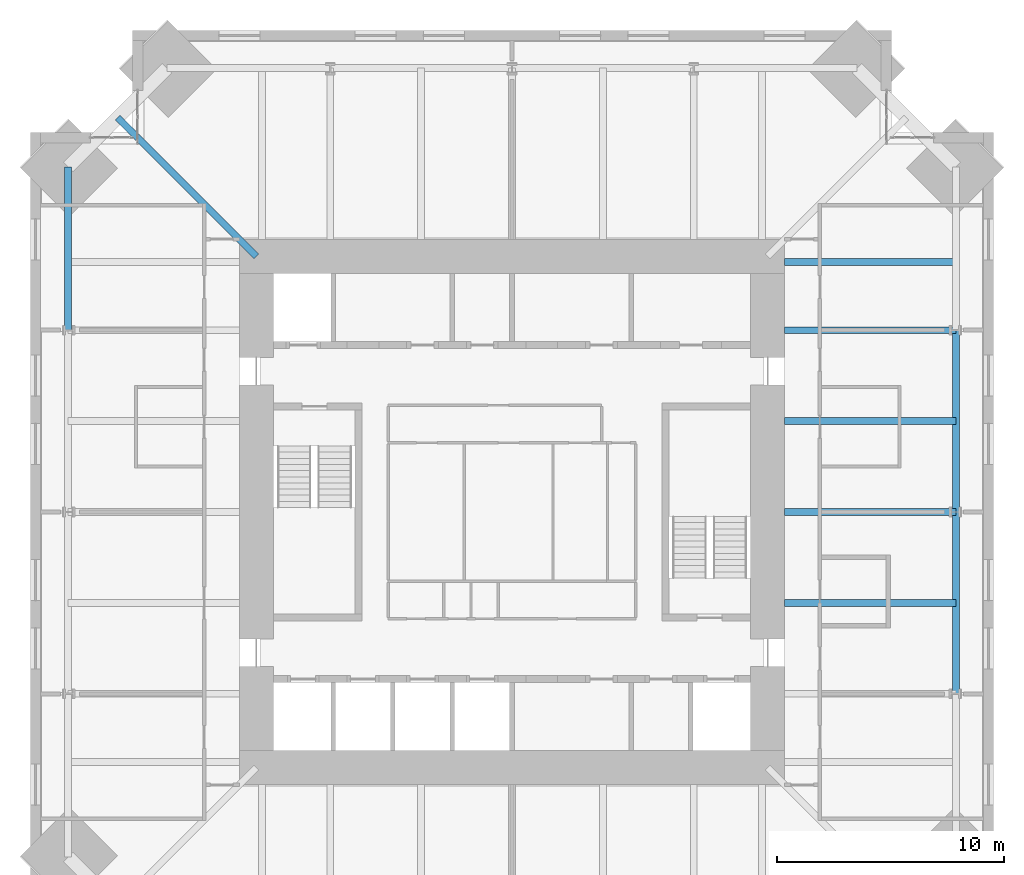
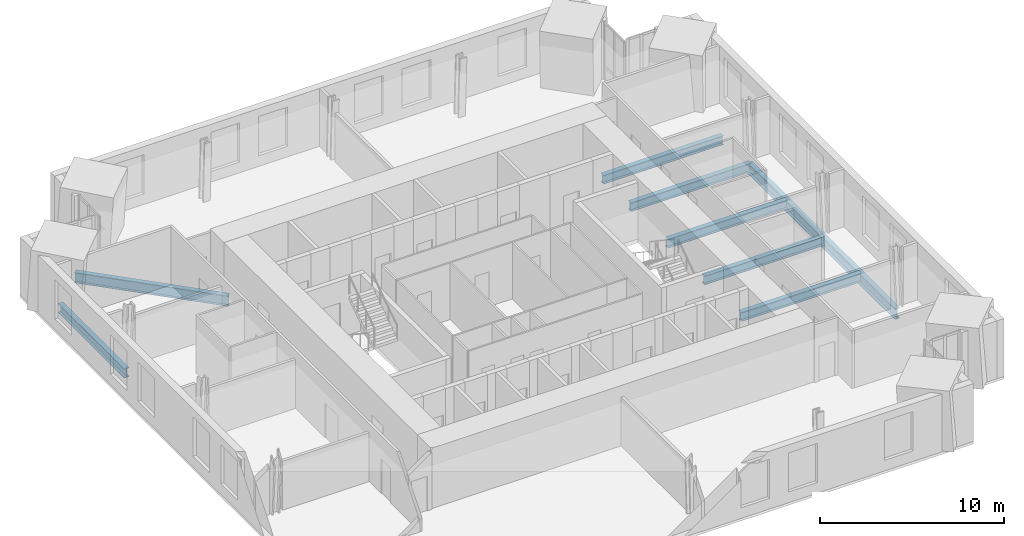
# One storey, part 5 of 15: 9 beams.
"""IFC4 building model written with IfcOpenShell, lengths in metres."""

from ifc_helpers import new_model, si_unit, direction, frame, origin, origin_2d, place, context, subcontext, project, spatial, i_section, extrude, material, material_profile, profile_set, type_object, element, save


model = new_model("IFC4")

# Units and contexts
model_context = context("Model", 3, precision=1e-05, world=origin(), true_north=direction((0.0, 1.0)))
body_context = subcontext(model_context, "Body", "Model", "MODEL_VIEW")
ifc_project = project(units=[si_unit("LENGTHUNIT", "METRE"), si_unit("AREAUNIT", "SQUARE_METRE"), si_unit("VOLUMEUNIT", "CUBIC_METRE"), si_unit("PLANEANGLEUNIT", "RADIAN"), si_unit("MASSUNIT", "GRAM", prefix="KILO")], contexts=[model_context])

# Site, building, storey
site_placement = place(None, origin())
site = spatial("IfcSite", under=ifc_project, at=site_placement, CompositionType="ELEMENT")
building_placement = place(site_placement, origin())
building = spatial("IfcBuilding", under=site, at=building_placement, Name="Peilmerk Tower", CompositionType="ELEMENT")
storey_placement = place(building_placement, frame((0.0, 0.0, 281.800048828125)))
storey = spatial("IfcBuildingStorey", under=building, at=storey_placement, Name="L63", CompositionType="ELEMENT", Elevation=281.800048828125)

# Beams
ifc_material = material(Name="Steel S355", Category="steel")
ifc_material_profile_1 = material_profile(ifc_material, i_section(OverallWidth=0.300048828125, OverallDepth=0.68994140625, WebThickness=0.014404296875, FlangeThickness=0.027099609375, at=origin_2d()), Name="HEA 700")
ifc_profile_set_1 = profile_set([ifc_material_profile_1], Name="Steel S355")
beam_type_1 = type_object("IfcBeamType", Name="B16 HEA 700 floor beam", PredefinedType="BEAM", material=ifc_profile_set_1)
beam_1_placement = place(storey_placement, frame((-11.25, 11.25, -0.51513671875), z_axis=(-0.707106781187, 0.707106781187, 0.0), x_axis=(-0.707106781187, -0.707106781187, 0.0)))
element("IfcBeam", 1, at=beam_1_placement, inside=storey, type_object=beam_type_1, Name="Corner girder L63", PredefinedType="BEAM", context=body_context, shape_type="SweptSolid", body=[
    extrude(i_section(OverallWidth=0.300048828125, OverallDepth=0.68994140625, WebThickness=0.014404296875, FlangeThickness=0.027099609375, at=origin_2d()), origin(), (0.0, 0.0, 1.0), 8.63916015625),
])
ifc_material_profile_2 = material_profile(ifc_material, i_section(OverallWidth=0.300048828125, OverallDepth=0.590087890625, WebThickness=0.012939453125, FlangeThickness=0.02490234375, at=origin_2d()), Name="HEA 600")
ifc_profile_set_2 = profile_set([ifc_material_profile_2], Name="Steel S355")
beam_type_2 = type_object("IfcBeamType", Name="B27 HEA 600 floor beam", PredefinedType="BEAM", material=ifc_profile_set_2)
for number, where, z_axis, x_axis, name in (
    (2, (12.0, -4.0, -0.465087890625), (1.0, 0.0, 0.0), (0.0, 1.0, 0.0), "Floor beam L63"),
    (3, (12.0, 0.0, -0.465087890625), (1.0, 0.0, 0.0), (0.0, 1.0, 0.0), "Floor beam L63"),
    (4, (12.0, 4.0, -0.465087890625), (1.0, 0.0, 0.0), (0.0, 1.0, 0.0), "Floor beam L63"),
    (5, (12.0, 8.0, -0.465087890625), (1.0, 0.0, 0.0), (0.0, 1.0, 0.0), "Floor beam L63"),
    (6, (12.0, 11.0, -0.465087890625), (1.0, 0.0, 0.0), (0.0, 1.0, 0.0), "Floor beam L63"),
):
    element("IfcBeam", number, at=place(storey_placement, frame(where, z_axis=z_axis, x_axis=x_axis)), inside=storey, type_object=beam_type_2, Name=name, PredefinedType="BEAM", context=body_context, shape_type="SweptSolid", body=[
        extrude(i_section(OverallWidth=0.300048828125, OverallDepth=0.590087890625, WebThickness=0.012939453125, FlangeThickness=0.02490234375, at=origin_2d()), origin(), (0.0, 0.0, 1.0), 7.533935546875),
    ])
ifc_material_profile_3 = material_profile(ifc_material, i_section(OverallWidth=0.303955078125, OverallDepth=0.716064453125, WebThickness=0.02099609375, FlangeThickness=0.0400390625, at=origin_2d()), Name="HEM 700")
ifc_profile_set_3 = profile_set([ifc_material_profile_3], Name="Steel S355")
beam_type_3 = type_object("IfcBeamType", Name="B30 HEM 700 edge beam", PredefinedType="SPANDREL", material=ifc_profile_set_3)
for number, where, z_axis, x_axis, name in (
    (7, (19.533935546875, -8.0, -0.528076171875), (0.0, 1.0, 0.0), (-1.0, 0.0, 0.0), "Edge beam L63"),
    (8, (19.533935546875, 0.0, -0.528076171875), (0.0, 1.0, 0.0), (-1.0, 0.0, 0.0), "Edge beam L63"),
):
    element("IfcBeam", number, at=place(storey_placement, frame(where, z_axis=z_axis, x_axis=x_axis)), inside=storey, type_object=beam_type_3, Name=name, PredefinedType="SPANDREL", context=body_context, shape_type="SweptSolid", body=[
        extrude(i_section(OverallWidth=0.303955078125, OverallDepth=0.716064453125, WebThickness=0.02099609375, FlangeThickness=0.0400390625, at=origin_2d()), origin(), (0.0, 0.0, 1.0), 8.0),
    ])
ifc_material_profile_4 = material_profile(ifc_material, i_section(OverallWidth=0.304931640625, OverallDepth=0.6201171875, WebThickness=0.02099609375, FlangeThickness=0.0400390625, at=origin_2d()), Name="HEM 600")
ifc_profile_set_4 = profile_set([ifc_material_profile_4], Name="Steel S355")
beam_type_4 = type_object("IfcBeamType", Name="B31 HEM 600 edge beam", PredefinedType="SPANDREL", material=ifc_profile_set_4)
beam_2_placement = place(storey_placement, frame((-19.533935546875, 15.183837890625, -0.47998046875), z_axis=(0.0, -1.0, 0.0), x_axis=(1.0, 0.0, 0.0)))
element("IfcBeam", 9, at=beam_2_placement, inside=storey, type_object=beam_type_4, Name="Edge beam L63", PredefinedType="SPANDREL", context=body_context, shape_type="SweptSolid", body=[
    extrude(i_section(OverallWidth=0.304931640625, OverallDepth=0.6201171875, WebThickness=0.02099609375, FlangeThickness=0.0400390625, at=origin_2d()), origin(), (0.0, 0.0, 1.0), 7.183837890625),
])

save(model, "model.ifc")
